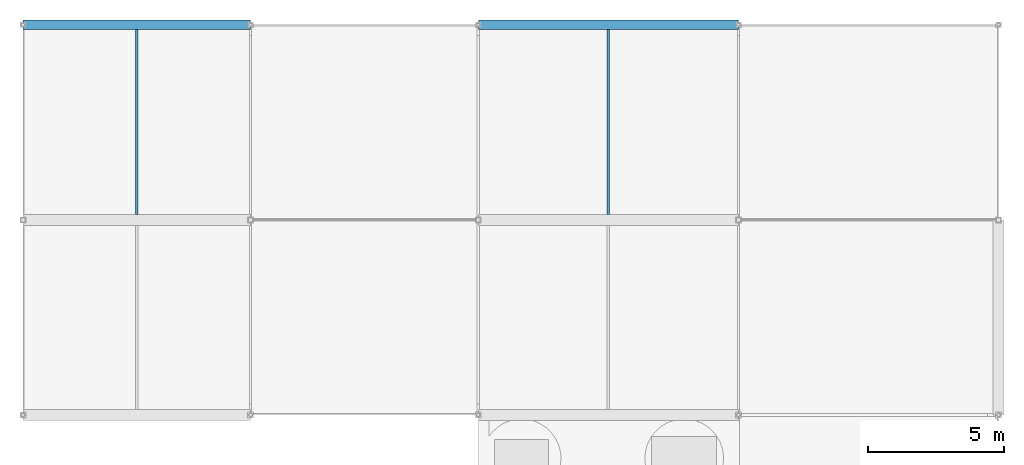
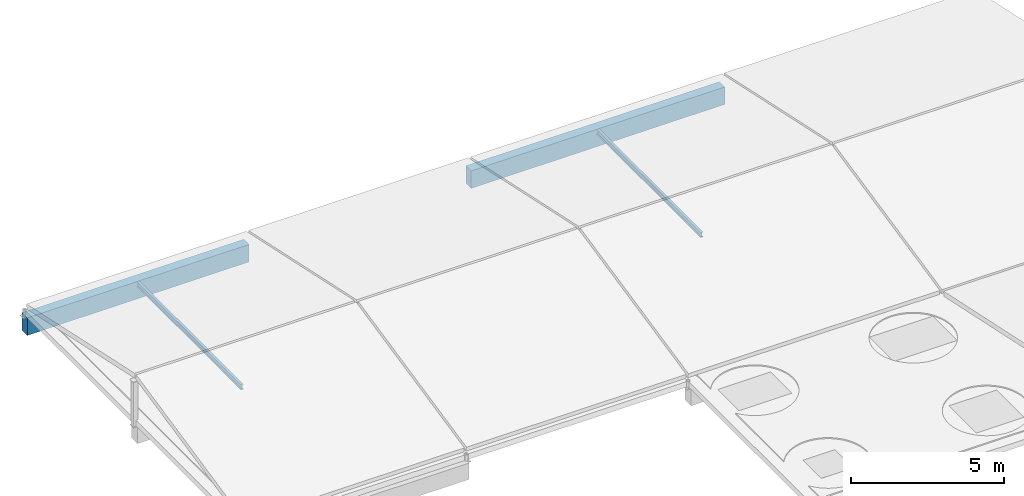
# One storey, part 4 of 11: 4 beams.
"""IFC4 building model written with IfcOpenShell, lengths in metres."""

import ifcopenshell
import ifcopenshell.guid

model = None  # the IFC model being written
_history = None  # IfcOwnerHistory: only IFC2X3 demands one
_inside = {}  # id of a spatial element -> (the spatial element, [elements in it])
_under = {}  # id of a project, library or spatial element -> (it, [spatial elements below it])
_declared = {}  # id of a project -> (the project, [libraries it declares])
_typed = {}  # id of a type object -> (the type object, [elements of that type])
_made_of = {}  # id of a material, layer set ... -> (it, [elements and type objects made of it])


def new_model(schema):
    """Start an empty IFC model of exactly this schema.

    Asked for "IFC4X3", IfcOpenShell would pick the latest addendum, in which some entities
    have other attributes; the version numbers below select the first issue.
    IFC2X3 requires an IfcOwnerHistory on every rooted entity: one is made here for all.
    """
    global model, _history
    if schema == "IFC4X3":
        model = ifcopenshell.file(schema_version=(4, 3, 0, 0))
    else:
        model = ifcopenshell.file(schema=schema)
    _inside.clear()
    _under.clear()
    _declared.clear()
    _typed.clear()
    _made_of.clear()
    _history = None
    if model.schema == "IFC2X3":
        org = make("IfcOrganization", Name="unknown")
        user = make(
            "IfcPersonAndOrganization",
            ThePerson=make("IfcPerson", FamilyName="unknown"),
            TheOrganization=org,
        )
        app = make(
            "IfcApplication",
            ApplicationDeveloper=org,
            Version="unknown",
            ApplicationFullName="unknown",
            ApplicationIdentifier="unknown",
        )
        _history = make(
            "IfcOwnerHistory",
            OwningUser=user,
            OwningApplication=app,
            ChangeAction="ADDED",
            CreationDate=0,
        )
    return model


def make(cls, **values):
    """One entity of the class cls with the attributes given. An attribute that is None is left unset."""
    return model.create_entity(
        cls, **{name: value for name, value in values.items() if value is not None}
    )


def rooted(cls, **values):
    """An entity with a GlobalId (a new one), such as an element, a storey or a relation."""
    return make(cls, GlobalId=ifcopenshell.guid.new(), OwnerHistory=_history, **values)


def si_unit(unit_type, name, prefix=None):
    """IfcSIUnit, for example si_unit("LENGTHUNIT", "METRE", prefix="MILLI")."""
    return make("IfcSIUnit", UnitType=unit_type, Prefix=prefix, Name=name)


def assignment(units):
    """IfcUnitAssignment: the units of a project."""
    return None if units is None else make("IfcUnitAssignment", Units=units)


def point(xyz):
    """IfcCartesianPoint."""
    return None if xyz is None else make("IfcCartesianPoint", Coordinates=xyz)


def direction(xyz):
    """IfcDirection."""
    return None if xyz is None else make("IfcDirection", DirectionRatios=xyz)


def frame(location, z_axis=None, x_axis=None):
    """IfcAxis2Placement3D, a coordinate frame: its origin and axes. An axis left out is left unset."""
    return make(
        "IfcAxis2Placement3D",
        Location=point(location),
        Axis=direction(z_axis),
        RefDirection=direction(x_axis),
    )


def frame_2d(location, x_axis=None):
    """IfcAxis2Placement2D, a coordinate frame in the plane: its origin and x axis."""
    return make(
        "IfcAxis2Placement2D", Location=point(location), RefDirection=direction(x_axis)
    )


def origin():
    """The frame at (0, 0, 0) with its axes left unset."""
    return frame((0.0, 0.0, 0.0))


def origin_2d():
    """The frame at (0, 0) in the plane with its x axis left unset."""
    return frame_2d((0.0, 0.0))


def place(relative_to, where):
    """IfcLocalPlacement: puts the frame where relative to a parent placement (None: the world)."""
    return make(
        "IfcLocalPlacement", PlacementRelTo=relative_to, RelativePlacement=where
    )


def context(
    kind, dimensions, precision=None, world=None, true_north=None, identifier=None
):
    """IfcGeometricRepresentationContext, for example the 3D "Model" context."""
    return make(
        "IfcGeometricRepresentationContext",
        ContextIdentifier=identifier,
        ContextType=kind,
        CoordinateSpaceDimension=dimensions,
        Precision=precision,
        WorldCoordinateSystem=world,
        TrueNorth=true_north,
    )


def subcontext(parent, identifier, kind, view, scale=None):
    """IfcGeometricRepresentationSubContext, for example "Body" below "Model"."""
    return make(
        "IfcGeometricRepresentationSubContext",
        ContextIdentifier=identifier,
        ContextType=kind,
        ParentContext=parent,
        TargetScale=scale,
        TargetView=view,
    )


def project(units=None, contexts=None):
    """IfcProject with its units and contexts."""
    return rooted(
        "IfcProject",
        Name="project",
        RepresentationContexts=contexts,
        UnitsInContext=assignment(units),
    )


def spatial(cls, under=None, at=None, **own):
    """A site, building, storey or space (cls), placed at a placement, below another one or the project."""
    s = rooted(cls, ObjectPlacement=at, **own)
    if under is not None:
        _under.setdefault(under.id(), (under, []))[1].append(s)
    return s


def profile(cls, at=None, kind="AREA", **sizes):
    """A parametric profile (cls). Its sizes go by their IFC names, for example OverallWidth=200.0."""
    return make(cls, ProfileType=kind, Position=at, **sizes)


def rectangle(**sizes):
    """IfcRectangleProfileDef."""
    return profile("IfcRectangleProfileDef", **sizes)


def i_section(**sizes):
    """IfcIShapeProfileDef."""
    return profile("IfcIShapeProfileDef", **sizes)


def extrude(swept, where, along, depth):
    """IfcExtrudedAreaSolid: the profile swept, set in the frame where, extruded along a direction by depth."""
    return make(
        "IfcExtrudedAreaSolid",
        SweptArea=swept,
        Position=where,
        ExtrudedDirection=direction(along),
        Depth=depth,
    )


def shape(context_of_items, identifier, shape_type, items):
    """IfcShapeRepresentation: the items that make up one representation, for example the "Body"."""
    return make(
        "IfcShapeRepresentation",
        ContextOfItems=context_of_items,
        RepresentationIdentifier=identifier,
        RepresentationType=shape_type,
        Items=items,
    )


def material(Name=None, Category=None):
    """IfcMaterial."""
    return make("IfcMaterial", Name=Name, Category=Category)


def material_profile(
    of_material, cross_section, Name=None, Category=None, Priority=None
):
    """IfcMaterialProfile: a cross section and its material."""
    return make(
        "IfcMaterialProfile",
        Name=Name,
        Material=of_material,
        Profile=cross_section,
        Priority=Priority,
        Category=Category,
    )


def profile_set(profiles, Name=None, composite=None):
    """IfcMaterialProfileSet."""
    return make(
        "IfcMaterialProfileSet",
        Name=Name,
        MaterialProfiles=profiles,
        CompositeProfile=composite,
    )


def made_of(thing, what):
    """Note that an element or type object is made of a material, layer set ...; save() writes the relation."""
    if what is not None:
        _made_of.setdefault(what.id(), (what, []))[1].append(thing)
    return thing


def type_object(cls, material=None, **own):
    """A type object (cls), such as IfcWallType, which elements share."""
    return made_of(rooted(cls, **own), material)


def element(
    cls,
    number,
    at=None,
    inside=None,
    cuts=None,
    type_object=None,
    material=None,
    context=None,
    identifier="Body",
    shape_type=None,
    held_by="IfcProductDefinitionShape",
    body=None,
    shapes=None,
    **own,
):
    """One element of the class cls, such as IfcWall. Its Tag is "e" and its number.

    at: its placement. inside: the storey or other place that contains it. cuts: it is an
    opening in that element (IfcRelVoidsElement). A single representation is given by context,
    identifier, shape_type and body (its items); several are given by shapes. held_by: the class
    of the entity that holds the representations. save() writes the other relations.
    """
    e = rooted(cls, Tag="e%d" % number, ObjectPlacement=at, **own)
    if body is not None:
        shapes = [shape(context, identifier, shape_type, body)]
    if shapes is not None:
        e.Representation = make(held_by, Representations=shapes)
    if inside is not None:
        _inside.setdefault(inside.id(), (inside, []))[1].append(e)
    if cuts is not None:
        rooted(
            "IfcRelVoidsElement", RelatingBuildingElement=cuts, RelatedOpeningElement=e
        )
    if type_object is not None:
        _typed.setdefault(type_object.id(), (type_object, []))[1].append(e)
    return made_of(e, material)


def aggregate(whole, parts):
    """IfcRelAggregates: a whole, such as a stair, and the parts it consists of."""
    return rooted("IfcRelAggregates", RelatingObject=whole, RelatedObjects=parts)


def save(model, path):
    """Write the relations noted so far, then the file.

    IfcRelAggregates (storeys below a building ...), IfcRelContainedInSpatialStructure (elements
    in a storey), IfcRelDefinesByType, IfcRelAssociatesMaterial and IfcRelDeclares: one each for
    every whole, place, type object, material and project.
    """
    for whole, parts in _under.values():
        aggregate(whole, parts)
    for where, things in _inside.values():
        rooted(
            "IfcRelContainedInSpatialStructure",
            RelatedElements=things,
            RelatingStructure=where,
        )
    for kind, things in _typed.values():
        rooted("IfcRelDefinesByType", RelatedObjects=things, RelatingType=kind)
    for what, things in _made_of.values():
        rooted("IfcRelAssociatesMaterial", RelatedObjects=things, RelatingMaterial=what)
    for by, libraries in _declared.values():
        rooted("IfcRelDeclares", RelatingContext=by, RelatedDefinitions=libraries)
    model.write(path)


model = new_model("IFC4")

# Units and contexts
model_context = context("Model", 3, precision=1e-05, world=origin(), true_north=direction((0.0, 1.0)))
body_context = subcontext(model_context, "Body", "Model", "MODEL_VIEW")
ifc_project = project(units=[si_unit("LENGTHUNIT", "METRE"), si_unit("AREAUNIT", "SQUARE_METRE"), si_unit("VOLUMEUNIT", "CUBIC_METRE"), si_unit("PLANEANGLEUNIT", "RADIAN"), si_unit("MASSUNIT", "GRAM", prefix="KILO")], contexts=[model_context])

# Site, building, storey
site_placement = place(None, origin())
site = spatial("IfcSite", under=ifc_project, at=site_placement, CompositionType="ELEMENT")
building_placement = place(site_placement, origin())
building = spatial("IfcBuilding", under=site, at=building_placement, Name="Kisaragi Civic Commons", CompositionType="ELEMENT")
storey_placement = place(building_placement, frame((0.0, 0.0, 21.60009765625)))
storey = spatial("IfcBuildingStorey", under=building, at=storey_placement, Name="RF", CompositionType="ELEMENT", Elevation=21.60009765625)

# Beams
ifc_material_1 = material(Name="Steel SN400 (SN400B)", Category="steel")
ifc_material_profile_1 = material_profile(ifc_material_1, i_section(OverallWidth=0.10009765625, OverallDepth=0.199951171875, WebThickness=0.005615234375, FlangeThickness=0.008056640625, FilletRadius=0.008056640625, at=origin_2d()), Name="H-200x100x5.5x8", Category="steel")
ifc_profile_set_1 = profile_set([ifc_material_profile_1], Name="Steel SN400 (SN400B)")
beam_type_1 = type_object("IfcBeamType", Name="J-06", PredefinedType="JOIST", material=ifc_profile_set_1)
for number, where, z_axis, x_axis, name in (
    (1, (101.39990234375, 111.800048828125, -0.320068359375), (0.0, 1.0, 0.0), (-1.0, 0.0, 0.0), "RF secondary steel joist J-06 85"),
    (2, (118.800048828125, 111.800048828125, -0.320068359375), (0.0, 1.0, 0.0), (-1.0, 0.0, 0.0), "RF secondary steel joist J-06 87"),
):
    element("IfcBeam", number, at=place(storey_placement, frame(where, z_axis=z_axis, x_axis=x_axis)), inside=storey, type_object=beam_type_1, Name=name, PredefinedType="JOIST", context=body_context, shape_type="SweptSolid", body=[
        extrude(i_section(OverallWidth=0.10009765625, OverallDepth=0.199951171875, WebThickness=0.005615234375, FlangeThickness=0.008056640625, FilletRadius=0.008056640625, at=origin_2d()), origin(), (0.0, 0.0, 1.0), 6.824951171875),
    ])
ifc_material_2 = material(Name="Precast concrete Fc36", Category="concrete")
ifc_material_profile_2 = material_profile(ifc_material_2, rectangle(XDim=0.35009765625, YDim=0.699951171875, at=origin_2d()), Name="PC-350x700", Category="concrete")
ifc_profile_set_2 = profile_set([ifc_material_profile_2], Name="Precast concrete Fc36")
beam_type_2 = type_object("IfcBeamType", Name="SPB-03", PredefinedType="SPANDREL", material=ifc_profile_set_2)
beam_1_placement = place(storey_placement, frame((97.199951171875, 118.800048828125, -0.570068359375), z_axis=(1.0, 0.0, 0.0), x_axis=(0.0, 1.0, 0.0)))
element("IfcBeam", 3, at=beam_1_placement, inside=storey, type_object=beam_type_2, Name="RF girder SPB-03 353", PredefinedType="SPANDREL", context=body_context, shape_type="SweptSolid", body=[
    extrude(rectangle(XDim=0.35009765625, YDim=0.699951171875, at=origin_2d()), origin(), (0.0, 0.0, 1.0), 8.400146484375),
])
beam_2_placement = place(storey_placement, frame((114.0, 118.800048828125, -0.570068359375), z_axis=(1.0, 0.0, 0.0), x_axis=(0.0, 1.0, 0.0)))
element("IfcBeam", 4, at=beam_2_placement, inside=storey, type_object=beam_type_2, Name="RF girder SPB-03 354", PredefinedType="SPANDREL", context=body_context, shape_type="SweptSolid", body=[
    extrude(rectangle(XDim=0.35009765625, YDim=0.699951171875, at=origin_2d()), origin(), (0.0, 0.0, 1.0), 9.60009765625),
])

save(model, "model.ifc")
